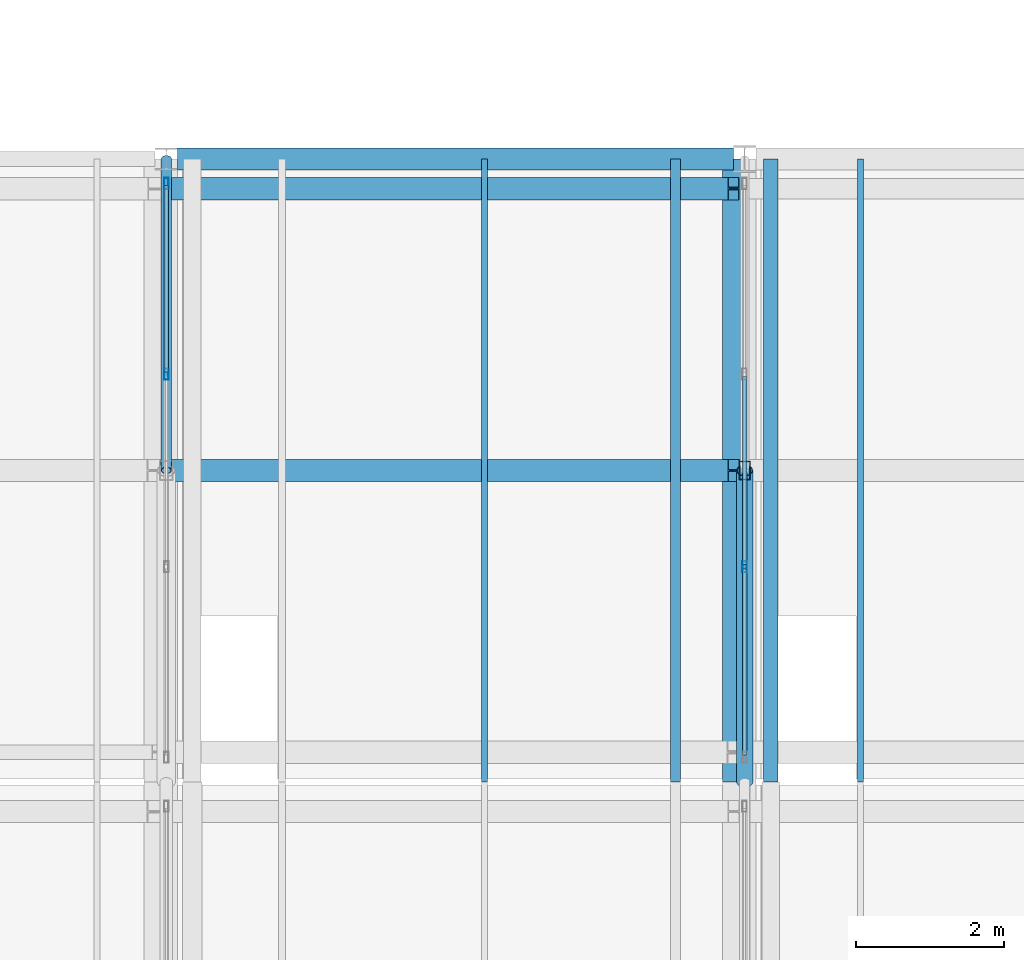
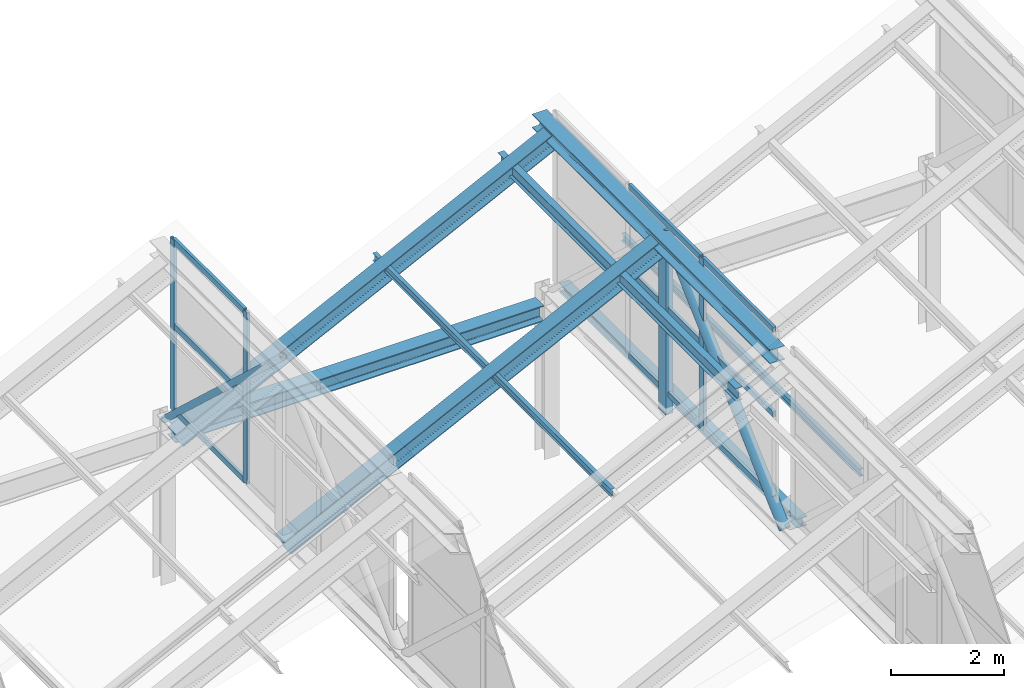
# One storey, part 41 of 101: 22 members, 1 beam, 2 elements without a shape of their own.
"""IFC4 building model written with IfcOpenShell, lengths in metres."""

from ifc_helpers import new_model, si_unit, direction, frame, origin, origin_2d, place, context, subcontext, project, spatial, hollow_rectangle, hollow_circle, i_section, extrude, material, layer, layer_set, material_profile, profile_set, type_object, element, aggregate, save


model = new_model("IFC4")

# Units and contexts
model_context = context("Model", 3, precision=1e-05, world=origin(), true_north=direction((0.0, 1.0)))
body_context = subcontext(model_context, "Body", "Model", "MODEL_VIEW")
ifc_project = project(units=[si_unit("LENGTHUNIT", "METRE"), si_unit("AREAUNIT", "SQUARE_METRE"), si_unit("VOLUMEUNIT", "CUBIC_METRE"), si_unit("PLANEANGLEUNIT", "RADIAN"), si_unit("MASSUNIT", "GRAM", prefix="KILO")], contexts=[model_context])

# Site, building, storey
site_placement = place(None, origin())
site = spatial("IfcSite", under=ifc_project, at=site_placement, CompositionType="ELEMENT")
building_placement = place(site_placement, origin())
building = spatial("IfcBuilding", under=site, at=building_placement, Name="Zizhar Promenade General Hospital", CompositionType="ELEMENT")
storey_placement = place(building_placement, frame((0.0, 0.0, 14.39990234375)))
storey = spatial("IfcBuildingStorey", under=building, at=storey_placement, Name="L03", CompositionType="ELEMENT", Elevation=14.39990234375)

# Beam
ifc_material_1 = material(Name="Steel S355", Category="steel")
ifc_material_profile_1 = material_profile(ifc_material_1, i_section(OverallWidth=0.300048828125, OverallDepth=0.340087890625, WebThickness=0.011962890625, FlangeThickness=0.021484375, FilletRadius=0.027099609375, at=origin_2d()))
ifc_profile_set_1 = profile_set([ifc_material_profile_1], Name="Steel S355")
beam_type = type_object("IfcBeamType", Name="BM-STL-HEB340", PredefinedType="BEAM", material=ifc_profile_set_1)
beam_placement = place(storey_placement, frame((101.550048828125, 50.39990234375, 3.14013671875), z_axis=(1.0, 0.0, 0.0), x_axis=(0.0, 1.0, 0.0)))
element("IfcBeam", 1, at=beam_placement, inside=storey, type_object=beam_type, Name="Grid Beam X L03 (13-6)", PredefinedType="BEAM", context=body_context, shape_type="SweptSolid", body=[
    extrude(i_section(OverallWidth=0.300048828125, OverallDepth=0.340087890625, WebThickness=0.011962890625, FlangeThickness=0.021484375, FilletRadius=0.027099609375, at=origin_2d()), origin(), (0.0, 0.0, 1.0), 7.5),
])

# Curtain wall, members
ifc_material_2 = material(Name="Anodised aluminium 6063-T6 and low-E glass", Category="aluminium")
ifc_layer = layer(ifc_material_2, 0.159912109375)
ifc_layer_set = layer_set([ifc_layer], Name="Anodised aluminium 6063-T6 and low-E glass")
curtain_wall_type = type_object("IfcCurtainWallType", Name="CW-SAW-NL3", PredefinedType="NOTDEFINED", material=ifc_layer_set)
curtain_wall_1_placement = place(storey_placement, origin())
curtain_wall_1 = element("IfcCurtainWall", 2, at=curtain_wall_1_placement, inside=storey, type_object=curtain_wall_type, Name="Sawtooth Clerestory Light B4-S3", PredefinedType="NOTDEFINED")
ifc_material_3 = material(Name="Anodised aluminium 6063-T6", Category="aluminium")
ifc_material_profile_2 = material_profile(ifc_material_3, hollow_rectangle(XDim=0.06005859375, YDim=0.14990234375, WallThickness=0.00390625, at=origin_2d()))
ifc_profile_set_2 = profile_set([ifc_material_profile_2], Name="Anodised aluminium 6063-T6")
member_type_1 = type_object("IfcMemberType", Name="CWM-ALU-150x60", PredefinedType="MULLION", material=ifc_profile_set_2)
member_1_placement = place(storey_placement, frame((101.39990234375, 47.5, 3.85009765625), z_axis=(0.0, 0.0, 1.0), x_axis=(-1.0, 0.0, 0.0)))
member_1 = element("IfcMember", 3, at=member_1_placement, type_object=member_type_1, Name="CW-05 mullion 3", PredefinedType="MULLION", context=body_context, shape_type="SweptSolid", body=[
    extrude(hollow_rectangle(XDim=0.06005859375, YDim=0.14990234375, WallThickness=0.00390625, at=origin_2d()), origin(), (0.0, 0.0, 1.0), 3.699951171875),
])
member_2_placement = place(storey_placement, frame((101.39990234375, 50.070068359375, 3.85009765625), z_axis=(0.0, 0.0, 1.0), x_axis=(-1.0, 0.0, 0.0)))
member_2 = element("IfcMember", 4, at=member_2_placement, type_object=member_type_1, Name="CW-05 mullion 4", PredefinedType="MULLION", context=body_context, shape_type="SweptSolid", body=[
    extrude(hollow_rectangle(XDim=0.06005859375, YDim=0.14990234375, WallThickness=0.00390625, at=origin_2d()), origin(), (0.0, 0.0, 1.0), 3.699951171875),
])

# Curtain wall, member
curtain_wall_2_placement = place(storey_placement, origin())
curtain_wall_2 = element("IfcCurtainWall", 5, at=curtain_wall_2_placement, inside=storey, type_object=curtain_wall_type, Name="Sawtooth Clerestory Light B5-S3", PredefinedType="NOTDEFINED")
member_3_placement = place(storey_placement, frame((109.199951171875, 44.89990234375, 3.85009765625), z_axis=(0.0, 0.0, 1.0), x_axis=(-1.0, 0.0, 0.0)))
member_3 = element("IfcMember", 6, at=member_3_placement, type_object=member_type_1, Name="CW-05 mullion 2", PredefinedType="MULLION", context=body_context, shape_type="SweptSolid", body=[
    extrude(hollow_rectangle(XDim=0.06005859375, YDim=0.14990234375, WallThickness=0.00390625, at=origin_2d()), origin(), (0.0, 0.0, 1.0), 3.699951171875),
])

# Member
ifc_material_4 = material(Name="Anodised aluminium 6063-T6", Category="aluminium")
ifc_material_profile_3 = material_profile(ifc_material_4, hollow_rectangle(XDim=0.06005859375, YDim=0.1201171875, WallThickness=0.00390625, at=origin_2d()))
ifc_profile_set_3 = profile_set([ifc_material_profile_3], Name="Anodised aluminium 6063-T6")
member_type_2 = type_object("IfcMemberType", Name="CWT-ALU-120x60", PredefinedType="USERDEFINED", material=ifc_profile_set_3)
member_4_placement = place(storey_placement, frame((101.39990234375, 47.530029296875, 3.880126953125), z_axis=(0.0, 1.0, 0.0), x_axis=(-1.0, 0.0, 0.0)))
member_4 = element("IfcMember", 7, at=member_4_placement, type_object=member_type_2, Name="CW-05 transom 3.1", ObjectType="TRANSOM", PredefinedType="USERDEFINED", context=body_context, shape_type="SweptSolid", body=[
    extrude(hollow_rectangle(XDim=0.06005859375, YDim=0.1201171875, WallThickness=0.00390625, at=origin_2d()), origin(), (0.0, 0.0, 1.0), 2.510009765625),
])

member_5_placement = place(storey_placement, frame((101.39990234375, 47.530029296875, 5.7001953125), z_axis=(0.0, 1.0, 0.0), x_axis=(-1.0, 0.0, 0.0)))
member_5 = element("IfcMember", 8, at=member_5_placement, type_object=member_type_2, Name="CW-05 transom 3.2", ObjectType="TRANSOM", PredefinedType="USERDEFINED", context=body_context, shape_type="SweptSolid", body=[
    extrude(hollow_rectangle(XDim=0.06005859375, YDim=0.1201171875, WallThickness=0.00390625, at=origin_2d()), origin(), (0.0, 0.0, 1.0), 2.510009765625),
])

member_6_placement = place(storey_placement, frame((101.39990234375, 47.530029296875, 7.52001953125), z_axis=(0.0, 1.0, 0.0), x_axis=(-1.0, 0.0, 0.0)))
member_6 = element("IfcMember", 9, at=member_6_placement, type_object=member_type_2, Name="CW-05 transom 3.3", ObjectType="TRANSOM", PredefinedType="USERDEFINED", context=body_context, shape_type="SweptSolid", body=[
    extrude(hollow_rectangle(XDim=0.06005859375, YDim=0.1201171875, WallThickness=0.00390625, at=origin_2d()), origin(), (0.0, 0.0, 1.0), 2.510009765625),
])

aggregate(curtain_wall_1, [member_1, member_2, member_4, member_5, member_6])

member_7_placement = place(storey_placement, frame((109.199951171875, 42.360107421875, 3.880126953125), z_axis=(0.0, 1.0, 0.0), x_axis=(-1.0, 0.0, 0.0)))
member_7 = element("IfcMember", 10, at=member_7_placement, type_object=member_type_2, Name="CW-05 transom 1.1", ObjectType="TRANSOM", PredefinedType="USERDEFINED", context=body_context, shape_type="SweptSolid", body=[
    extrude(hollow_rectangle(XDim=0.06005859375, YDim=0.1201171875, WallThickness=0.00390625, at=origin_2d()), origin(), (0.0, 0.0, 1.0), 2.510009765625),
])

member_8_placement = place(storey_placement, frame((109.199951171875, 42.360107421875, 5.7001953125), z_axis=(0.0, 1.0, 0.0), x_axis=(-1.0, 0.0, 0.0)))
member_8 = element("IfcMember", 11, at=member_8_placement, type_object=member_type_2, Name="CW-05 transom 1.2", ObjectType="TRANSOM", PredefinedType="USERDEFINED", context=body_context, shape_type="SweptSolid", body=[
    extrude(hollow_rectangle(XDim=0.06005859375, YDim=0.1201171875, WallThickness=0.00390625, at=origin_2d()), origin(), (0.0, 0.0, 1.0), 2.510009765625),
])

member_9_placement = place(storey_placement, frame((109.199951171875, 42.360107421875, 7.52001953125), z_axis=(0.0, 1.0, 0.0), x_axis=(-1.0, 0.0, 0.0)))
member_9 = element("IfcMember", 12, at=member_9_placement, type_object=member_type_2, Name="CW-05 transom 1.3", ObjectType="TRANSOM", PredefinedType="USERDEFINED", context=body_context, shape_type="SweptSolid", body=[
    extrude(hollow_rectangle(XDim=0.06005859375, YDim=0.1201171875, WallThickness=0.00390625, at=origin_2d()), origin(), (0.0, 0.0, 1.0), 2.510009765625),
])

member_10_placement = place(storey_placement, frame((109.199951171875, 44.929931640625, 3.880126953125), z_axis=(0.0, 1.0, 0.0), x_axis=(-1.0, 0.0, 0.0)))
member_10 = element("IfcMember", 13, at=member_10_placement, type_object=member_type_2, Name="CW-05 transom 2.1", ObjectType="TRANSOM", PredefinedType="USERDEFINED", context=body_context, shape_type="SweptSolid", body=[
    extrude(hollow_rectangle(XDim=0.06005859375, YDim=0.1201171875, WallThickness=0.00390625, at=origin_2d()), origin(), (0.0, 0.0, 1.0), 2.5400390625),
])

member_11_placement = place(storey_placement, frame((109.199951171875, 44.929931640625, 5.7001953125), z_axis=(0.0, 1.0, 0.0), x_axis=(-1.0, 0.0, 0.0)))
member_11 = element("IfcMember", 14, at=member_11_placement, type_object=member_type_2, Name="CW-05 transom 2.2", ObjectType="TRANSOM", PredefinedType="USERDEFINED", context=body_context, shape_type="SweptSolid", body=[
    extrude(hollow_rectangle(XDim=0.06005859375, YDim=0.1201171875, WallThickness=0.00390625, at=origin_2d()), origin(), (0.0, 0.0, 1.0), 2.5400390625),
])

member_12_placement = place(storey_placement, frame((109.199951171875, 44.929931640625, 7.52001953125), z_axis=(0.0, 1.0, 0.0), x_axis=(-1.0, 0.0, 0.0)))
member_12 = element("IfcMember", 15, at=member_12_placement, type_object=member_type_2, Name="CW-05 transom 2.3", ObjectType="TRANSOM", PredefinedType="USERDEFINED", context=body_context, shape_type="SweptSolid", body=[
    extrude(hollow_rectangle(XDim=0.06005859375, YDim=0.1201171875, WallThickness=0.00390625, at=origin_2d()), origin(), (0.0, 0.0, 1.0), 2.5400390625),
])

aggregate(curtain_wall_2, [member_3, member_7, member_8, member_9, member_10, member_11, member_12])

# Members
ifc_material_5 = material(Name="Steel S355", Category="steel")
ifc_material_profile_4 = material_profile(ifc_material_5, hollow_circle(Radius=0.06982421875, WallThickness=0.00634765625, at=origin_2d()))
ifc_profile_set_4 = profile_set([ifc_material_profile_4], Name="Steel S355")
member_type_3 = type_object("IfcMemberType", Name="MEM-BRACE-CHS140", PredefinedType="BRACE", material=ifc_profile_set_4)
member_13_placement = place(storey_placement, frame((101.39990234375, 50.39990234375, 3.4501953125), z_axis=(0.0, -0.732798043082, 0.680446197767), x_axis=(1.0, 0.0, 0.0)))
element("IfcMember", 16, at=member_13_placement, inside=storey, type_object=member_type_3, Name="Sawtooth Truss Frame 5 Diagonal B3", PredefinedType="BRACE", context=body_context, shape_type="SweptSolid", body=[
    extrude(hollow_circle(Radius=0.06982421875, WallThickness=0.00634765625, at=origin_2d()), origin(), (0.0, 0.0, 1.0), 5.7314453125),
])
ifc_material_6 = material(Name="Steel S355", Category="steel")
ifc_material_profile_5 = material_profile(ifc_material_6, i_section(OverallWidth=0.199951171875, OverallDepth=0.199951171875, WebThickness=0.009033203125, FlangeThickness=0.014892578125, FilletRadius=0.01806640625, at=origin_2d()))
ifc_profile_set_5 = profile_set([ifc_material_profile_5], Name="Steel S355")
member_type_4 = type_object("IfcMemberType", Name="MEM-CHORD-HEB200", PredefinedType="CHORD", material=ifc_profile_set_5)
member_14_placement = place(storey_placement, frame((109.550048828125, 42.0, 3.47021484375), z_axis=(0.0, 1.0, 0.0), x_axis=(-1.0, 0.0, 0.0)))
element("IfcMember", 17, at=member_14_placement, inside=storey, type_object=member_type_4, Name="Sawtooth Bay 6 Valley Tie 3", PredefinedType="CHORD", context=body_context, shape_type="SweptSolid", body=[
    extrude(i_section(OverallWidth=0.199951171875, OverallDepth=0.199951171875, WebThickness=0.009033203125, FlangeThickness=0.014892578125, FilletRadius=0.01806640625, at=origin_2d()), origin(), (0.0, 0.0, 1.0), 8.39990234375),
])
ifc_material_7 = material(Name="Steel S355", Category="steel")
ifc_material_profile_6 = material_profile(ifc_material_7, i_section(OverallWidth=0.300048828125, OverallDepth=0.300048828125, WebThickness=0.010986328125, FlangeThickness=0.01904296875, FilletRadius=0.027099609375, at=origin_2d()))
ifc_profile_set_6 = profile_set([ifc_material_profile_6], Name="Steel S355")
member_type_5 = type_object("IfcMemberType", Name="MEM-CHORD-HEB300", PredefinedType="CHORD", material=ifc_profile_set_6)
member_15_placement = place(storey_placement, frame((109.050048828125, 42.0, 7.25), z_axis=(0.0, 1.0, 0.0), x_axis=(-1.0, 0.0, 0.0)))
element("IfcMember", 18, at=member_15_placement, inside=storey, type_object=member_type_5, Name="Sawtooth Bay 5 Ridge Chord 3", PredefinedType="CHORD", context=body_context, shape_type="SweptSolid", body=[
    extrude(i_section(OverallWidth=0.300048828125, OverallDepth=0.300048828125, WebThickness=0.010986328125, FlangeThickness=0.01904296875, FilletRadius=0.027099609375, at=origin_2d()), origin(), (0.0, 0.0, 1.0), 8.39990234375),
])
ifc_material_8 = material(Name="Steel S355", Category="steel")
ifc_material_profile_7 = material_profile(ifc_material_8, hollow_circle(Radius=0.109619140625, WallThickness=0.008056640625, at=origin_2d()))
ifc_profile_set_7 = profile_set([ifc_material_profile_7], Name="Steel S355")
member_type_6 = type_object("IfcMemberType", Name="MEM-DIAG-CHS219", PredefinedType="BRACE", material=ifc_profile_set_7)
member_16_placement = place(storey_placement, frame((109.199951171875, 42.0, 3.4501953125), z_axis=(0.0, 0.732798043082, 0.680446197767), x_axis=(-1.0, 0.0, 0.0)))
element("IfcMember", 19, at=member_16_placement, inside=storey, type_object=member_type_6, Name="Sawtooth Truss Frame 6 Diagonal A3", PredefinedType="BRACE", context=body_context, shape_type="SweptSolid", body=[
    extrude(hollow_circle(Radius=0.109619140625, WallThickness=0.008056640625, at=origin_2d()), origin(), (0.0, 0.0, 1.0), 5.7314453125),
])
ifc_material_9 = material(Name="Steel S355", Category="steel")
ifc_material_profile_8 = material_profile(ifc_material_9, i_section(OverallWidth=0.08203125, OverallDepth=0.159912109375, WebThickness=0.0048828125, FlangeThickness=0.00732421875, FilletRadius=0.009033203125, at=origin_2d()))
ifc_profile_set_8 = profile_set([ifc_material_profile_8], Name="Steel S355")
member_type_7 = type_object("IfcMemberType", Name="MEM-PURL-IPE160", PredefinedType="PURLIN", material=ifc_profile_set_8)
for number, where, z_axis, x_axis, name in (
    (20, (105.68994140625, 42.0, 5.464599609375), (0.0, 1.0, 0.0), (-1.0, 0.0, 0.0), "Sawtooth Bay 5 Purlin 3-2"),
    (21, (110.760009765625, 42.0, 4.1171875), (0.0, 1.0, 0.0), (-1.0, 0.0, 0.0), "Sawtooth Bay 6 Purlin 3-1"),
):
    element("IfcMember", number, at=place(storey_placement, frame(where, z_axis=z_axis, x_axis=x_axis)), inside=storey, type_object=member_type_7, Name=name, PredefinedType="PURLIN", context=body_context, shape_type="SweptSolid", body=[
        extrude(i_section(OverallWidth=0.08203125, OverallDepth=0.159912109375, WebThickness=0.0048828125, FlangeThickness=0.00732421875, FilletRadius=0.009033203125, at=origin_2d()), origin(), (0.0, 0.0, 1.0), 8.39990234375),
    ])
ifc_material_10 = material(Name="Steel S355", Category="steel")
ifc_material_profile_9 = material_profile(ifc_material_10, i_section(OverallWidth=0.135009765625, OverallDepth=0.27001953125, WebThickness=0.006591796875, FlangeThickness=0.01025390625, FilletRadius=0.014892578125, at=origin_2d()))
ifc_profile_set_9 = profile_set([ifc_material_profile_9], Name="Steel S355")
member_type_8 = type_object("IfcMemberType", Name="MEM-PURL-IPE270", PredefinedType="PURLIN", material=ifc_profile_set_9)
member_17_placement = place(storey_placement, frame((108.263916015625, 42.0, 6.68017578125), z_axis=(0.0, 1.0, 0.0), x_axis=(-1.0, 0.0, 0.0)))
element("IfcMember", 22, at=member_17_placement, inside=storey, type_object=member_type_8, Name="Sawtooth Bay 5 Purlin 3-3", PredefinedType="PURLIN", context=body_context, shape_type="SweptSolid", body=[
    extrude(i_section(OverallWidth=0.135009765625, OverallDepth=0.27001953125, WebThickness=0.006591796875, FlangeThickness=0.01025390625, FilletRadius=0.014892578125, at=origin_2d()), origin(), (0.0, 0.0, 1.0), 8.39990234375),
])
ifc_material_11 = material(Name="Steel S355", Category="steel")
ifc_material_profile_10 = material_profile(ifc_material_11, i_section(OverallWidth=0.300048828125, OverallDepth=0.330078125, WebThickness=0.009521484375, FlangeThickness=0.0166015625, FilletRadius=0.027099609375, at=origin_2d()))
ifc_profile_set_10 = profile_set([ifc_material_profile_10], Name="Steel S355")
member_type_9 = type_object("IfcMemberType", Name="MEM-RAFT-HEA340", PredefinedType="RAFTER", material=ifc_profile_set_10)
member_18_placement = place(storey_placement, frame((101.39990234375, 50.0, 3.30908203125), z_axis=(0.896710487916, 0.0, 0.442617555979), x_axis=(0.0, 1.0, 0.0)))
element("IfcMember", 23, at=member_18_placement, inside=storey, type_object=member_type_9, Name="Sawtooth Bay 5 Rafter 3-3", PredefinedType="RAFTER", context=body_context, shape_type="SweptSolid", body=[
    extrude(i_section(OverallWidth=0.300048828125, OverallDepth=0.330078125, WebThickness=0.009521484375, FlangeThickness=0.0166015625, FilletRadius=0.027099609375, at=origin_2d()), origin(), (0.0, 0.0, 1.0), 8.53125),
])
ifc_material_12 = material(Name="Steel S355", Category="steel")
ifc_material_profile_11 = material_profile(ifc_material_12, i_section(OverallWidth=0.300048828125, OverallDepth=0.35009765625, WebThickness=0.010009765625, FlangeThickness=0.017578125, FilletRadius=0.027099609375, at=origin_2d()))
ifc_profile_set_11 = profile_set([ifc_material_profile_11], Name="Steel S355")
member_type_10 = type_object("IfcMemberType", Name="MEM-RAFT-HEA360", PredefinedType="RAFTER", material=ifc_profile_set_11)
member_19_placement = place(storey_placement, frame((101.39990234375, 46.199951171875, 3.298095703125), z_axis=(0.896721845806, 0.0, 0.442594544989), x_axis=(0.0, 1.0, 0.0)))
element("IfcMember", 24, at=member_19_placement, inside=storey, type_object=member_type_10, Name="Sawtooth Bay 5 Rafter 3-2", PredefinedType="RAFTER", context=body_context, shape_type="SweptSolid", body=[
    extrude(i_section(OverallWidth=0.300048828125, OverallDepth=0.35009765625, WebThickness=0.010009765625, FlangeThickness=0.017578125, FilletRadius=0.027099609375, at=origin_2d()), origin(), (0.0, 0.0, 1.0), 8.53125),
])
ifc_material_13 = material(Name="Steel S355", Category="steel")
ifc_material_profile_12 = material_profile(ifc_material_13, hollow_rectangle(XDim=0.14990234375, YDim=0.25, WallThickness=0.008056640625, at=origin_2d()))
ifc_profile_set_12 = profile_set([ifc_material_profile_12], Name="Steel S355")
member_type_11 = type_object("IfcMemberType", Name="MEM-STRUT-RHS250", PredefinedType="STRUT", material=ifc_profile_set_12)
member_20_placement = place(storey_placement, frame((109.199951171875, 46.199951171875, 3.4501953125), z_axis=(0.0, 0.0, 1.0), x_axis=(1.0, 0.0, 0.0)))
element("IfcMember", 25, at=member_20_placement, inside=storey, type_object=member_type_11, Name="Sawtooth Truss Frame 6 Vertical Post 3", PredefinedType="STRUT", context=body_context, shape_type="SweptSolid", body=[
    extrude(hollow_rectangle(XDim=0.14990234375, YDim=0.25, WallThickness=0.008056640625, at=origin_2d()), origin(), (0.0, 0.0, 1.0), 3.89990234375),
])

save(model, "model.ifc")
